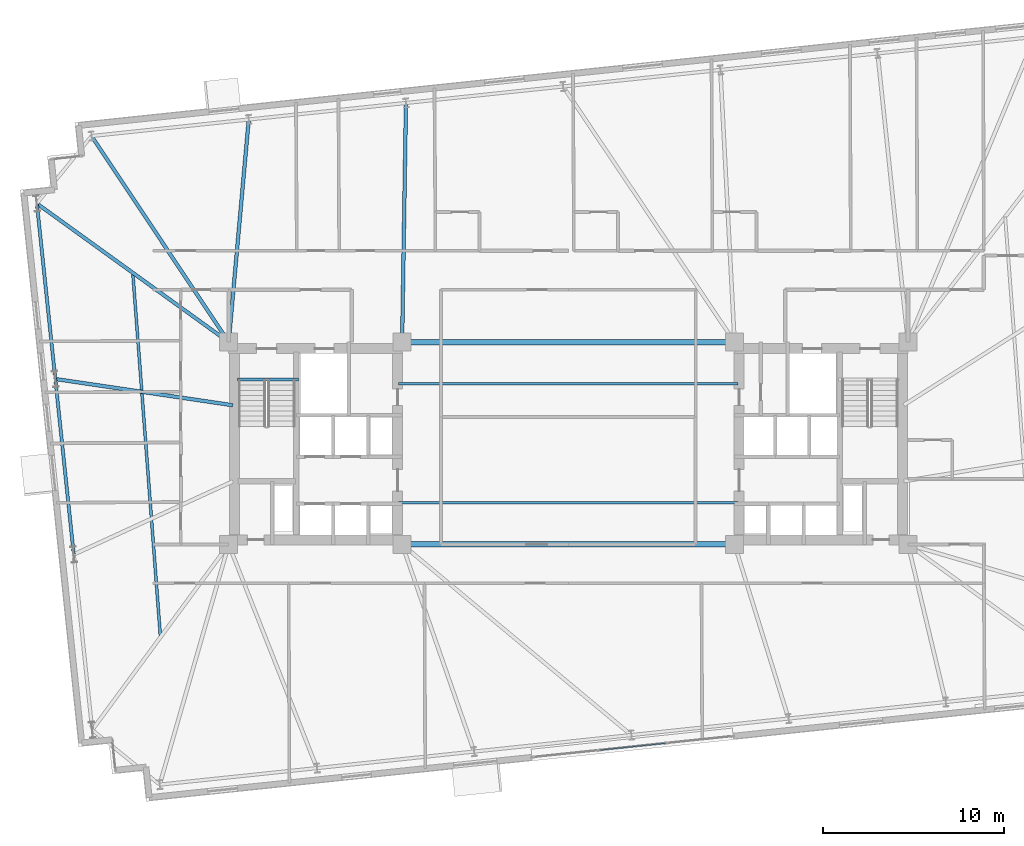
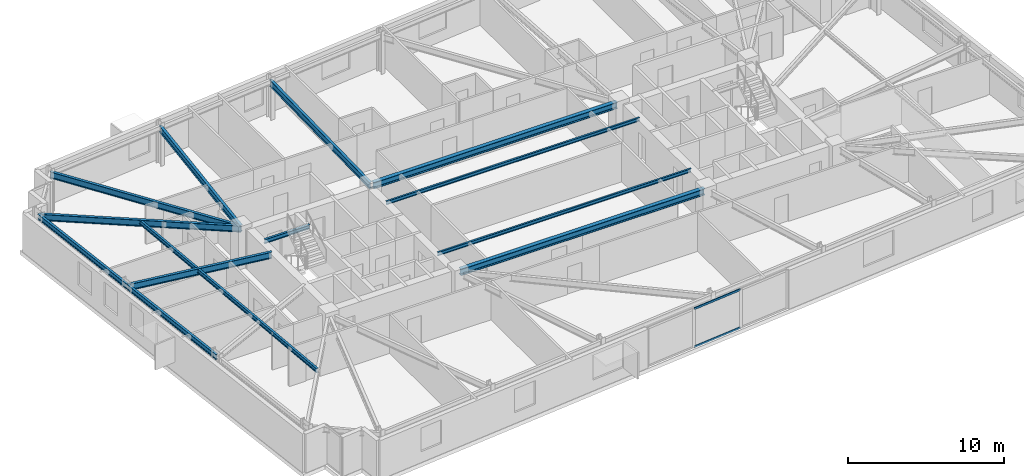
# One storey, part 7 of 23: 13 beams, 2 members, 1 element without a shape of its own.
"""IFC4 building model written with IfcOpenShell, lengths in metres."""

from ifc_helpers import new_model, si_unit, direction, frame, origin, origin_2d, place, context, subcontext, project, spatial, hollow_rectangle, i_section, extrude, material, layer, layer_set, material_profile, profile_set, type_object, element, aggregate, save


model = new_model("IFC4")

# Units and contexts
model_context = context("Model", 3, precision=1e-05, world=origin(), true_north=direction((0.0, 1.0)))
body_context = subcontext(model_context, "Body", "Model", "MODEL_VIEW")
ifc_project = project(units=[si_unit("LENGTHUNIT", "METRE"), si_unit("AREAUNIT", "SQUARE_METRE"), si_unit("VOLUMEUNIT", "CUBIC_METRE"), si_unit("PLANEANGLEUNIT", "RADIAN"), si_unit("MASSUNIT", "GRAM", prefix="KILO")], contexts=[model_context])

# Site, building, storey
site_placement = place(None, origin())
site = spatial("IfcSite", under=ifc_project, at=site_placement, CompositionType="ELEMENT")
building_placement = place(site_placement, origin())
building = spatial("IfcBuilding", under=site, at=building_placement, Name="Qobustan Lattice House", CompositionType="ELEMENT")
storey_placement = place(building_placement, frame((0.0, 0.0, 95.75)))
storey = spatial("IfcBuildingStorey", under=building, at=storey_placement, Name="L26", CompositionType="ELEMENT", Elevation=95.75)

# Beams
ifc_material_1 = material(Name="Steel S355", Category="steel")
ifc_material_profile_1 = material_profile(ifc_material_1, i_section(OverallWidth=0.300048828125, OverallDepth=0.5, WebThickness=0.014404296875, FlangeThickness=0.028076171875, FilletRadius=0.027099609375, at=origin_2d()), Name="HEB500")
ifc_profile_set_1 = profile_set([ifc_material_profile_1], Name="Steel S355")
beam_type_1 = type_object("IfcBeamType", Name="BM-CG-HEB500", PredefinedType="USERDEFINED", material=ifc_profile_set_1)
for number, where, z_axis, x_axis, name in (
    (1, (-9.050048828125, -5.60009765625, 2.794921875), (1.0, 0.0, 0.0), (0.0, 1.0, 0.0), "L26 core spine girder CG-CS"),
    (2, (-9.050048828125, 5.60009765625, 2.794921875), (1.0, 0.0, 0.0), (0.0, 1.0, 0.0), "L26 core spine girder CG-CN"),
):
    element("IfcBeam", number, at=place(storey_placement, frame(where, z_axis=z_axis, x_axis=x_axis)), inside=storey, type_object=beam_type_1, Name=name, ObjectType="GIRDER", PredefinedType="USERDEFINED", context=body_context, shape_type="SweptSolid", body=[
        extrude(i_section(OverallWidth=0.300048828125, OverallDepth=0.5, WebThickness=0.014404296875, FlangeThickness=0.028076171875, FilletRadius=0.027099609375, at=origin_2d()), origin(), (0.0, 0.0, 1.0), 18.10009765625),
    ])
ifc_material_2 = material(Name="Steel S355", Category="steel")
ifc_material_profile_2 = material_profile(ifc_material_2, i_section(OverallWidth=0.199951171875, OverallDepth=0.5, WebThickness=0.01025390625, FlangeThickness=0.01611328125, FilletRadius=0.02099609375, at=origin_2d()), Name="IPE500")
ifc_profile_set_2 = profile_set([ifc_material_profile_2], Name="Steel S355")
beam_type_2 = type_object("IfcBeamType", Name="BM-FLG-IPE500", PredefinedType="USERDEFINED", material=ifc_profile_set_2)
beam_1_placement = place(storey_placement, frame((-26.37890625, 16.986328125, 2.794921875), z_axis=(0.5540893103, -0.832457227857, 0.0), x_axis=(0.832457227857, 0.5540893103, 0.0)))
element("IfcBeam", 3, at=beam_1_placement, inside=storey, type_object=beam_type_2, Name="L26 primary floor girder RAD-N7W", ObjectType="GIRDER", PredefinedType="USERDEFINED", context=body_context, shape_type="SweptSolid", body=[
    extrude(i_section(OverallWidth=0.199951171875, OverallDepth=0.5, WebThickness=0.01025390625, FlangeThickness=0.01611328125, FilletRadius=0.02099609375, at=origin_2d()), origin(), (0.0, 0.0, 1.0), 13.65283203125),
])
beam_2_placement = place(storey_placement, frame((-17.693115234375, 17.89697265625, 2.794921875), z_axis=(-0.089658533603, -0.995972563554, 0.0), x_axis=(0.995972563554, -0.089658533603, 0.0)))
element("IfcBeam", 4, at=beam_2_placement, inside=storey, type_object=beam_type_2, Name="L26 primary floor girder RAD-N6", ObjectType="GIRDER", PredefinedType="USERDEFINED", context=body_context, shape_type="SweptSolid", body=[
    extrude(i_section(OverallWidth=0.199951171875, OverallDepth=0.5, WebThickness=0.01025390625, FlangeThickness=0.01611328125, FilletRadius=0.02099609375, at=origin_2d()), origin(), (0.0, 0.0, 1.0), 12.321533203125),
])
beam_3_placement = place(storey_placement, frame((-8.9892578125, 18.8115234375, 2.794921875), z_axis=(-0.015957384359, -0.999872672836, 0.0), x_axis=(0.999872672836, -0.015957384359, 0.0)))
element("IfcBeam", 5, at=beam_3_placement, inside=storey, type_object=beam_type_2, Name="L26 primary floor girder RAD-N5", ObjectType="GIRDER", PredefinedType="USERDEFINED", context=body_context, shape_type="SweptSolid", body=[
    extrude(i_section(OverallWidth=0.199951171875, OverallDepth=0.5, WebThickness=0.01025390625, FlangeThickness=0.01611328125, FilletRadius=0.02099609375, at=origin_2d()), origin(), (0.0, 0.0, 1.0), 13.188232421875),
])
beam_4_placement = place(storey_placement, frame((-29.398681640625, 13.255859375, 2.794921875), z_axis=(0.810627425394, -0.585562274399, 0.0), x_axis=(0.585562274399, 0.810627425394, 0.0)))
element("IfcBeam", 6, at=beam_4_placement, inside=storey, type_object=beam_type_2, Name="L26 primary floor girder RAD-W1", ObjectType="GIRDER", PredefinedType="USERDEFINED", context=body_context, shape_type="SweptSolid", body=[
    extrude(i_section(OverallWidth=0.199951171875, OverallDepth=0.5, WebThickness=0.01025390625, FlangeThickness=0.01611328125, FilletRadius=0.02099609375, at=origin_2d()), origin(), (0.0, 0.0, 1.0), 13.049560546875),
])
beam_5_placement = place(storey_placement, frame((-28.373291015625, 3.5537109375, 2.794921875), z_axis=(0.989228195022, -0.146381618294, 0.0), x_axis=(0.146381618294, 0.989228195022, 0.0)))
element("IfcBeam", 7, at=beam_5_placement, inside=storey, type_object=beam_type_2, Name="L26 primary floor girder RAD-W2", ObjectType="GIRDER", PredefinedType="USERDEFINED", context=body_context, shape_type="SweptSolid", body=[
    extrude(i_section(OverallWidth=0.199951171875, OverallDepth=0.5, WebThickness=0.01025390625, FlangeThickness=0.01611328125, FilletRadius=0.02099609375, at=origin_2d()), origin(), (0.0, 0.0, 1.0), 9.9052734375),
])
ifc_material_3 = material(Name="Steel S355", Category="steel")
ifc_material_profile_3 = material_profile(ifc_material_3, i_section(OverallWidth=0.135009765625, OverallDepth=0.27001953125, WebThickness=0.006591796875, FlangeThickness=0.01025390625, FilletRadius=0.014892578125, at=origin_2d()), Name="IPE270")
ifc_profile_set_3 = profile_set([ifc_material_profile_3], Name="Steel S355")
beam_type_3 = type_object("IfcBeamType", Name="BM-JST-IPE270", PredefinedType="JOIST", material=ifc_profile_set_3)
for number, where, z_axis, x_axis, name in (
    (8, (-9.39990234375, -3.300048828125, 2.909912109375), (1.0, 0.0, 0.0), (0.0, 1.0, 0.0), "L26 central span floor joist 1"),
    (9, (-9.39990234375, 3.300048828125, 2.909912109375), (1.0, 0.0, 0.0), (0.0, 1.0, 0.0), "L26 central span floor joist 2"),
):
    element("IfcBeam", number, at=place(storey_placement, frame(where, z_axis=z_axis, x_axis=x_axis)), inside=storey, type_object=beam_type_3, Name=name, PredefinedType="JOIST", context=body_context, shape_type="SweptSolid", body=[
        extrude(i_section(OverallWidth=0.135009765625, OverallDepth=0.27001953125, WebThickness=0.006591796875, FlangeThickness=0.01025390625, FilletRadius=0.014892578125, at=origin_2d()), origin(), (0.0, 0.0, 1.0), 18.7998046875),
    ])
ifc_material_4 = material(Name="Steel S355", Category="steel")
ifc_material_profile_4 = material_profile(ifc_material_4, i_section(OverallWidth=0.159912109375, OverallDepth=0.330078125, WebThickness=0.007568359375, FlangeThickness=0.011474609375, FilletRadius=0.01806640625, at=origin_2d()), Name="IPE330")
ifc_profile_set_4 = profile_set([ifc_material_profile_4], Name="Steel S355")
beam_type_4 = type_object("IfcBeamType", Name="BM-SEC-IPE330", PredefinedType="BEAM", material=ifc_profile_set_4)
beam_6_placement = place(storey_placement, frame((-24.109619140625, 9.435302734375, 2.8798828125), z_axis=(0.07571166528, -0.997129752711, 0.0), x_axis=(0.997129752711, 0.07571166528, 0.0)))
element("IfcBeam", 10, at=beam_6_placement, inside=storey, type_object=beam_type_4, Name="L26 west wing secondary beam", PredefinedType="BEAM", context=body_context, shape_type="SweptSolid", body=[
    extrude(i_section(OverallWidth=0.159912109375, OverallDepth=0.330078125, WebThickness=0.007568359375, FlangeThickness=0.011474609375, FilletRadius=0.01806640625, at=origin_2d()), origin(), (0.0, 0.0, 1.0), 20.22802734375),
])
ifc_material_5 = material(Name="Steel S355", Category="steel")
ifc_material_profile_5 = material_profile(ifc_material_5, i_section(OverallWidth=0.159912109375, OverallDepth=0.330078125, WebThickness=0.007568359375, FlangeThickness=0.011474609375, FilletRadius=0.01806640625, at=origin_2d()), Name="IPE330")
ifc_profile_set_5 = profile_set([ifc_material_profile_5], Name="Steel S355")
beam_type_5 = type_object("IfcBeamType", Name="BM-SPD-IPE330", PredefinedType="SPANDREL", material=ifc_profile_set_5)
beam_7_placement = place(storey_placement, frame((-18.300048828125, 3.52001953125, 2.8798828125), z_axis=(1.0, 0.0, 0.0), x_axis=(0.0, 1.0, 0.0)))
element("IfcBeam", 11, at=beam_7_placement, inside=storey, type_object=beam_type_5, Name="L26 west stair landing trimmer beam", PredefinedType="SPANDREL", context=body_context, shape_type="SweptSolid", body=[
    extrude(i_section(OverallWidth=0.159912109375, OverallDepth=0.330078125, WebThickness=0.007568359375, FlangeThickness=0.011474609375, FilletRadius=0.01806640625, at=origin_2d()), origin(), (0.0, 0.0, 1.0), 3.35009765625),
])
ifc_material_6 = material(Name="Steel S355", Category="steel")
ifc_material_profile_6 = material_profile(ifc_material_6, i_section(OverallWidth=0.179931640625, OverallDepth=0.39990234375, WebThickness=0.008544921875, FlangeThickness=0.013427734375, FilletRadius=0.02099609375, at=origin_2d()), Name="IPE400")
ifc_profile_set_6 = profile_set([ifc_material_profile_6], Name="Steel S355")
beam_type_6 = type_object("IfcBeamType", Name="BM-SPD-IPE400", PredefinedType="SPANDREL", material=ifc_profile_set_6)
beam_8_placement = place(storey_placement, frame((-29.416259765625, 13.24560546875, 2.844970703125), z_axis=(0.104525214252, -0.994522236848, 0.0), x_axis=(0.994522236848, 0.104525214252, 0.0)))
element("IfcBeam", 12, at=beam_8_placement, inside=storey, type_object=beam_type_6, Name="L26 perimeter spandrel W1-W2", PredefinedType="SPANDREL", context=body_context, shape_type="SweptSolid", body=[
    extrude(i_section(OverallWidth=0.179931640625, OverallDepth=0.39990234375, WebThickness=0.008544921875, FlangeThickness=0.013427734375, FilletRadius=0.02099609375, at=origin_2d()), origin(), (0.0, 0.0, 1.0), 9.716552734375),
])
beam_9_placement = place(storey_placement, frame((-28.3955078125, 3.532470703125, 2.844970703125), z_axis=(0.104547453407, -0.994519899241, 0.0), x_axis=(0.994519899241, 0.104547453407, 0.0)))
element("IfcBeam", 13, at=beam_9_placement, inside=storey, type_object=beam_type_6, Name="L26 perimeter spandrel W2-W3", PredefinedType="SPANDREL", context=body_context, shape_type="SweptSolid", body=[
    extrude(i_section(OverallWidth=0.179931640625, OverallDepth=0.39990234375, WebThickness=0.008544921875, FlangeThickness=0.013427734375, FilletRadius=0.02099609375, at=origin_2d()), origin(), (0.0, 0.0, 1.0), 9.716796875),
])

# Curtain wall, members
ifc_material_7 = material(Name="Anodised aluminium and low-E glazing", Category="aluminium")
ifc_layer = layer(ifc_material_7, 0.219970703125)
ifc_layer_set = layer_set([ifc_layer], Name="Anodised aluminium and low-E glazing")
curtain_wall_type = type_object("IfcCurtainWallType", Name="CW-IWN-01", PredefinedType="USERDEFINED", material=ifc_layer_set)
curtain_wall_placement = place(storey_placement, origin())
curtain_wall = element("IfcCurtainWall", 14, at=curtain_wall_placement, inside=storey, type_object=curtain_wall_type, Name="L26 IWAN-2 walnut-lined iwan curtain wall", ObjectType="CURTAIN WALL", PredefinedType="USERDEFINED")
ifc_material_8 = material(Name="Anodised aluminium EN AW-6063 T6", Category="aluminium")
ifc_material_profile_7 = material_profile(ifc_material_8, hollow_rectangle(XDim=0.06494140625, YDim=0.159912109375, WallThickness=0.00390625, at=origin_2d()), Name="CWT-160x65")
ifc_profile_set_7 = profile_set([ifc_material_profile_7], Name="Anodised aluminium EN AW-6063 T6")
member_type = type_object("IfcMemberType", Name="CWT-HOR-160", PredefinedType="USERDEFINED", material=ifc_profile_set_7)
member_1_placement = place(storey_placement, frame((5.371337890625, -16.606689453125, 0.032470703125), z_axis=(-0.994523015384, -0.104517806482, 0.0), x_axis=(0.104517806482, -0.994523015384, 0.0)))
member_1 = element("IfcMember", 15, at=member_1_placement, type_object=member_type, Name="CW-IW transom 2.1", ObjectType="TRANSOM", PredefinedType="USERDEFINED", context=body_context, shape_type="SweptSolid", body=[
    extrude(hollow_rectangle(XDim=0.06494140625, YDim=0.159912109375, WallThickness=0.00390625, at=origin_2d()), origin(), (0.0, 0.0, 1.0), 3.6533203125),
])
member_2_placement = place(storey_placement, frame((5.371337890625, -16.606689453125, 3.012451171875), z_axis=(-0.994523015384, -0.104517806482, 0.0), x_axis=(0.104517806482, -0.994523015384, 0.0)))
member_2 = element("IfcMember", 16, at=member_2_placement, type_object=member_type, Name="CW-IW transom 2.2", ObjectType="TRANSOM", PredefinedType="USERDEFINED", context=body_context, shape_type="SweptSolid", body=[
    extrude(hollow_rectangle(XDim=0.06494140625, YDim=0.159912109375, WallThickness=0.00390625, at=origin_2d()), origin(), (0.0, 0.0, 1.0), 3.6533203125),
])
aggregate(curtain_wall, [member_1, member_2])

save(model, "model.ifc")
